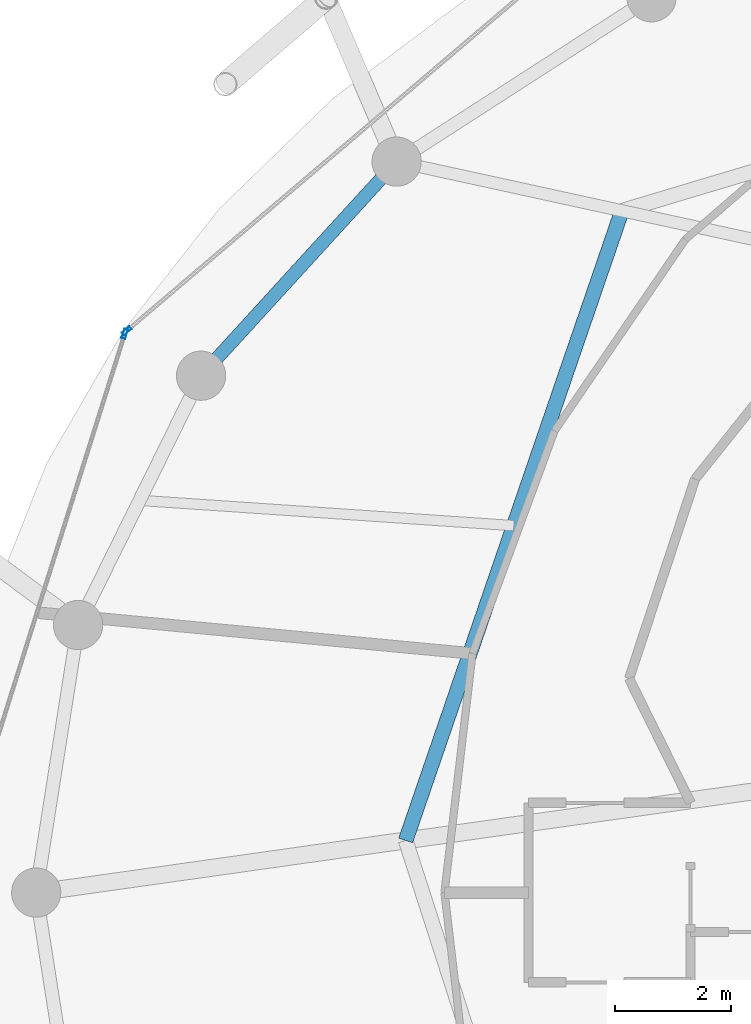
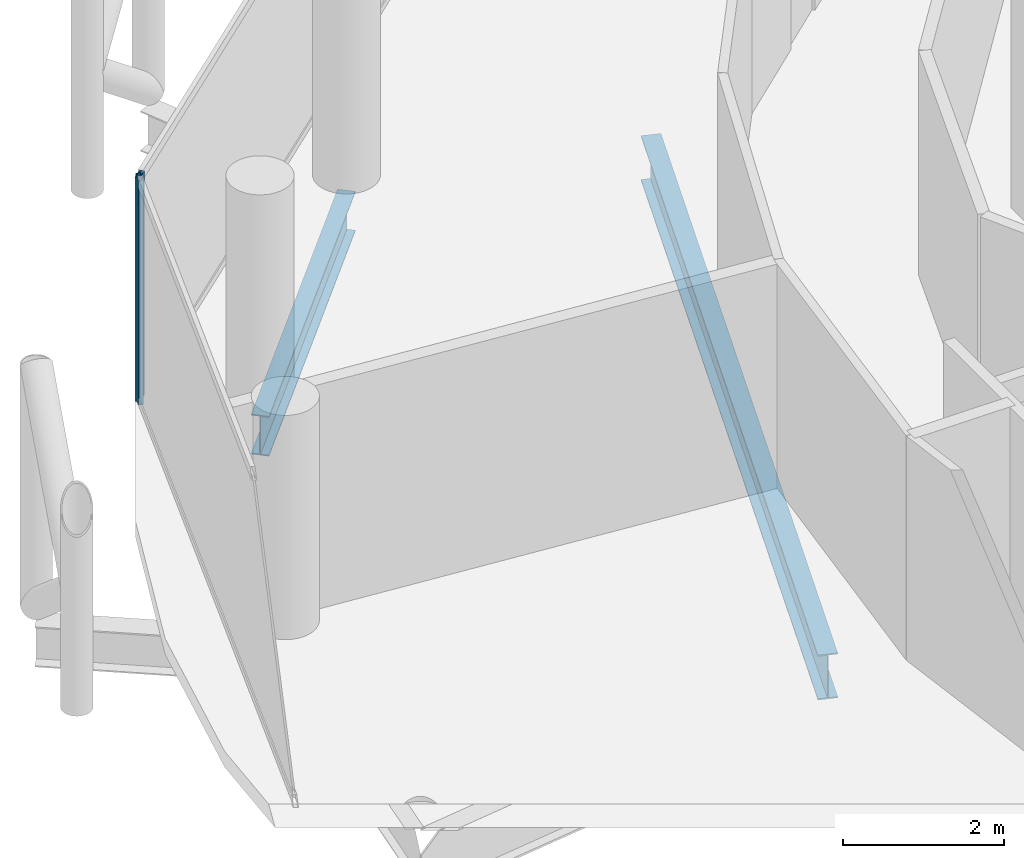
# One storey, part 9 of 27: 2 beams, 2 members, 2 elements without a shape of their own.
"""IFC4 building model written with IfcOpenShell, lengths in metres."""

from ifc_helpers import new_model, si_unit, direction, frame, origin, origin_2d, place, context, subcontext, project, spatial, hollow_rectangle, i_section, extrude, material, layer, layer_set, material_profile, profile_set, type_object, element, aggregate, save


model = new_model("IFC4")

# Units and contexts
model_context = context("Model", 3, precision=1e-05, world=origin(), true_north=direction((0.0, 1.0)))
body_context = subcontext(model_context, "Body", "Model", "MODEL_VIEW")
ifc_project = project(units=[si_unit("LENGTHUNIT", "METRE"), si_unit("AREAUNIT", "SQUARE_METRE"), si_unit("VOLUMEUNIT", "CUBIC_METRE"), si_unit("PLANEANGLEUNIT", "RADIAN"), si_unit("MASSUNIT", "GRAM", prefix="KILO")], contexts=[model_context])

# Site, building, storey
site_placement = place(None, origin())
site = spatial("IfcSite", under=ifc_project, at=site_placement, CompositionType="ELEMENT")
building_placement = place(site_placement, origin())
building = spatial("IfcBuilding", under=site, at=building_placement, Name="Nuhasar Tower", CompositionType="ELEMENT")
storey_placement = place(building_placement, frame((0.0, 0.0, 241.0)))
storey = spatial("IfcBuildingStorey", under=building, at=storey_placement, Name="L59", CompositionType="ELEMENT", Elevation=241.0)

# Beams
ifc_material_1 = material(Name="Steel S355", Category="steel")
ifc_material_profile_1 = material_profile(ifc_material_1, i_section(OverallWidth=0.25390625, OverallDepth=0.68408203125, WebThickness=0.012451171875, FlangeThickness=0.018798828125, at=origin_2d()), Name="W27X94")
ifc_profile_set_1 = profile_set([ifc_material_profile_1], Name="Steel S355")
beam_type_1 = type_object("IfcBeamType", Name="BM-INRING-W27X94", PredefinedType="BEAM", material=ifc_profile_set_1)
beam_1_placement = place(storey_placement, frame((27.864013671875, 38.572998046875, -0.58203125), z_axis=(-0.324809117642, -0.945779592239, 0.0), x_axis=(0.945779592239, -0.324809117642, 0.0)))
element("IfcBeam", 1, at=beam_1_placement, inside=storey, type_object=beam_type_1, Name="L59 Inner Header Beam 07", PredefinedType="BEAM", context=body_context, shape_type="SweptSolid", body=[
    extrude(i_section(OverallWidth=0.25390625, OverallDepth=0.68408203125, WebThickness=0.012451171875, FlangeThickness=0.018798828125, at=origin_2d()), origin(), (0.0, 0.0, 1.0), 11.496337890625),
])
ifc_material_profile_2 = material_profile(ifc_material_1, i_section(OverallWidth=0.22802734375, OverallDepth=0.60791015625, WebThickness=0.01123046875, FlangeThickness=0.017333984375, at=origin_2d()), Name="W24X76")
ifc_profile_set_2 = profile_set([ifc_material_profile_2], Name="Steel S355")
beam_type_2 = type_object("IfcBeamType", Name="BM-RING-W24X76", PredefinedType="SPANDREL", material=ifc_profile_set_2)
beam_2_placement = place(storey_placement, frame((23.97412109375, 39.422119140625, -0.5439453125), z_axis=(-0.674449692975, -0.738320805373, 0.0), x_axis=(0.738320805373, -0.674449692975, 0.0)))
element("IfcBeam", 2, at=beam_2_placement, inside=storey, type_object=beam_type_2, Name="L59 Perimeter Ring Spandrel 10", PredefinedType="SPANDREL", context=body_context, shape_type="SweptSolid", body=[
    extrude(i_section(OverallWidth=0.22802734375, OverallDepth=0.60791015625, WebThickness=0.01123046875, FlangeThickness=0.017333984375, at=origin_2d()), origin(), (0.0, 0.0, 1.0), 5.00732421875),
])

# Curtain wall, member
ifc_material_2 = material(Name="Aluminium 6063-T6", Category="aluminium")
ifc_layer = layer(ifc_material_2, 0.18994140625)
ifc_layer_set = layer_set([ifc_layer], Name="Aluminium 6063-T6")
curtain_wall_type = type_object("IfcCurtainWallType", Name="CW-Z3-RES", PredefinedType="NOTDEFINED", material=ifc_layer_set)
curtain_wall_1_placement = place(storey_placement, origin())
curtain_wall_1 = element("IfcCurtainWall", 3, at=curtain_wall_1_placement, inside=storey, type_object=curtain_wall_type, Name="L59 Unitised Curtain Wall 05", PredefinedType="NOTDEFINED")
ifc_material_profile_3 = material_profile(ifc_material_2, hollow_rectangle(XDim=0.06494140625, YDim=0.169921875, WallThickness=0.0048828125, at=origin_2d()), Name="CWM-4")
ifc_profile_set_3 = profile_set([ifc_material_profile_3], Name="Aluminium 6063-T6")
member_type = type_object("IfcMemberType", Name="CW-MUL-S4", PredefinedType="MULLION", material=ifc_profile_set_3)
member_1_placement = place(storey_placement, frame((19.313720703125, 36.5009765625, 0.0), z_axis=(0.0, 0.0, 1.0), x_axis=(0.64789521578, -0.761729472562, 0.0)))
member_1 = element("IfcMember", 4, at=member_1_placement, type_object=member_type, Name="CW-Z3 mullion 2", PredefinedType="MULLION", context=body_context, shape_type="SweptSolid", body=[
    extrude(hollow_rectangle(XDim=0.06494140625, YDim=0.169921875, WallThickness=0.0048828125, at=origin_2d()), origin(), (0.0, 0.0, 1.0), 3.409912109375),
])
aggregate(curtain_wall_1, [member_1])

curtain_wall_2_placement = place(storey_placement, origin())
curtain_wall_2 = element("IfcCurtainWall", 5, at=curtain_wall_2_placement, inside=storey, type_object=curtain_wall_type, Name="L59 Unitised Curtain Wall 06", PredefinedType="NOTDEFINED")
member_2_placement = place(storey_placement, frame((19.279296875, 36.448974609375, 0.0), z_axis=(0.0, 0.0, 1.0), x_axis=(0.95380429279, -0.30042864553, 0.0)))
member_2 = element("IfcMember", 6, at=member_2_placement, type_object=member_type, Name="CW-Z3 mullion 1", PredefinedType="MULLION", context=body_context, shape_type="SweptSolid", body=[
    extrude(hollow_rectangle(XDim=0.06494140625, YDim=0.169921875, WallThickness=0.0048828125, at=origin_2d()), origin(), (0.0, 0.0, 1.0), 3.409912109375),
])
aggregate(curtain_wall_2, [member_2])

save(model, "model.ifc")
